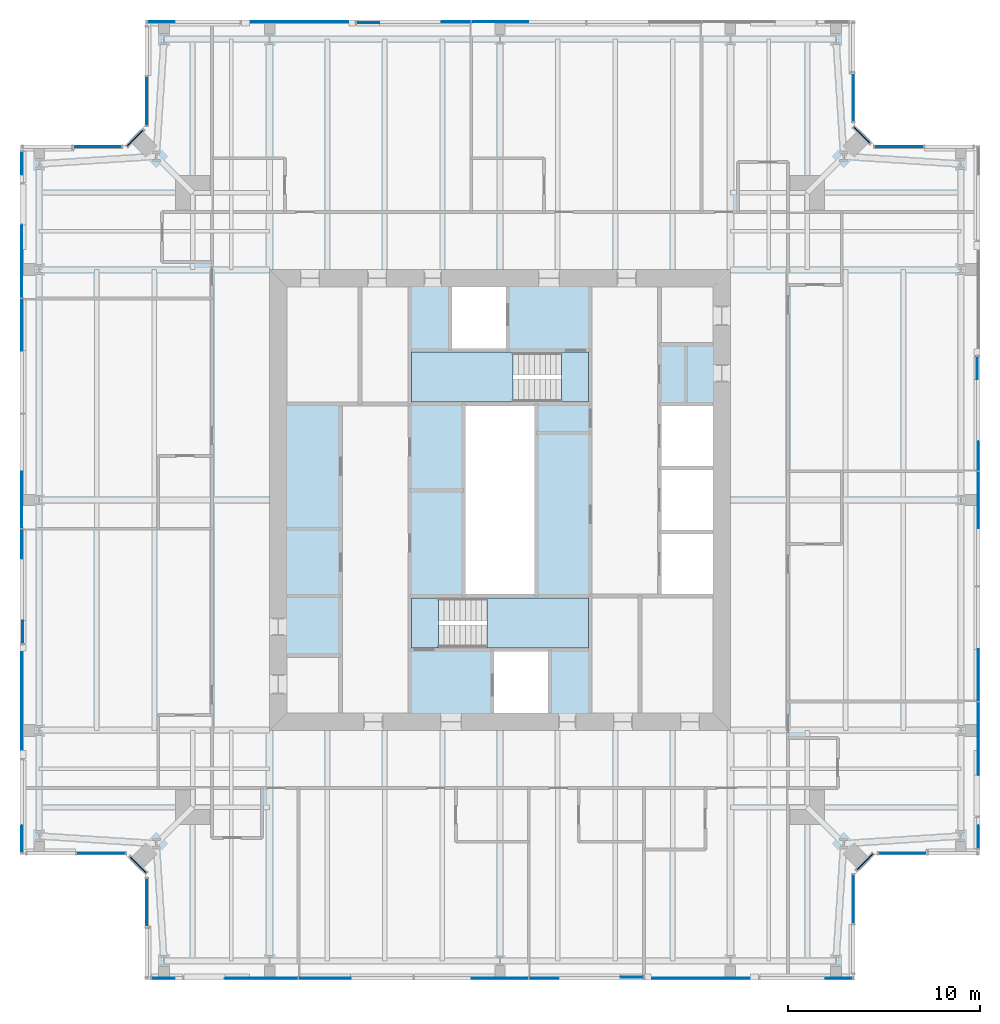
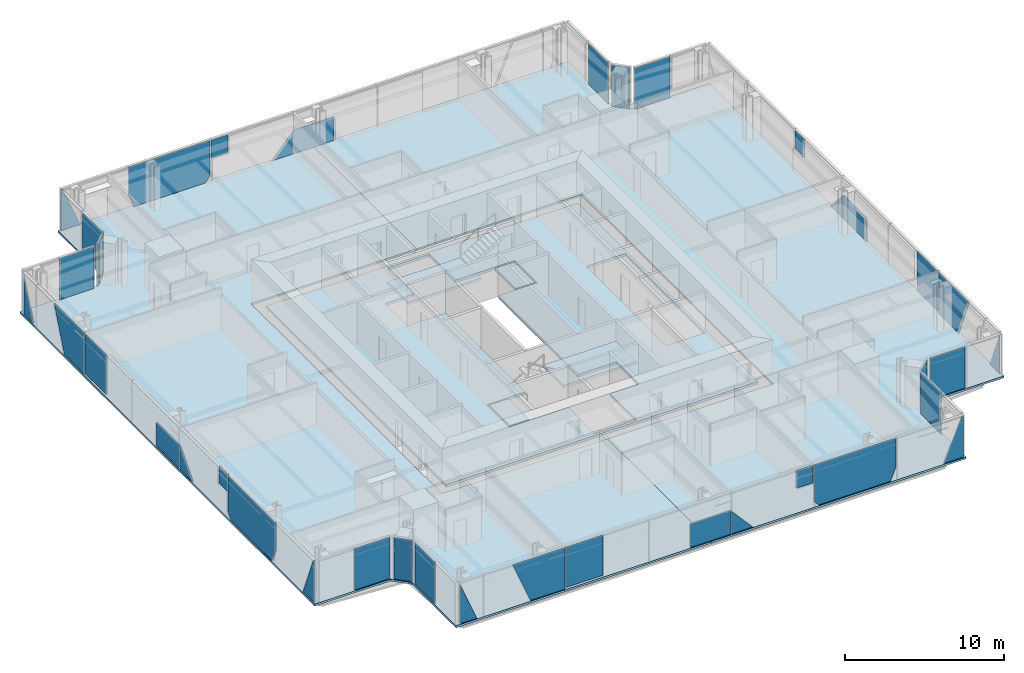
# One storey, part 10 of 20: 39 plates, 7 slabs, 18 elements without a shape of their own.
"""IFC4 building model written with IfcOpenShell, lengths in metres."""

from ifc_helpers import new_model, si_unit, direction, frame, origin, origin_2d, place, context, subcontext, project, spatial, polyline, rectangle, outline, extrude, material, layer, layer_set, type_object, element, aggregate, save


model = new_model("IFC4")

# Units and contexts
model_context = context("Model", 3, precision=1e-05, world=origin(), true_north=direction((0.0, 1.0)))
body_context = subcontext(model_context, "Body", "Model", "MODEL_VIEW")
ifc_project = project(units=[si_unit("LENGTHUNIT", "METRE"), si_unit("AREAUNIT", "SQUARE_METRE"), si_unit("VOLUMEUNIT", "CUBIC_METRE"), si_unit("PLANEANGLEUNIT", "RADIAN"), si_unit("MASSUNIT", "GRAM", prefix="KILO")], contexts=[model_context])

# Site, building, storey
site_placement = place(None, origin())
site = spatial("IfcSite", under=ifc_project, at=site_placement, CompositionType="ELEMENT")
building_placement = place(site_placement, origin())
building = spatial("IfcBuilding", under=site, at=building_placement, Name="Fenwick Lantern Interchange", CompositionType="ELEMENT")
storey_placement = place(building_placement, frame((0.0, 0.0, 276.39990234375)))
storey = spatial("IfcBuildingStorey", under=building, at=storey_placement, Name="L66", CompositionType="ELEMENT", Elevation=276.39990234375)

# Slabs
ifc_material_1 = material(Name="Concrete f'c 35 MPa", Category="concrete")
ifc_layer_1 = layer(ifc_material_1, 0.199951171875)
ifc_layer_set_1 = layer_set([ifc_layer_1], Name="CORE FLOOR SLAB 200")
slab_type_1 = type_object("IfcSlabType", Name="CORE FLOOR SLAB 200", PredefinedType="FLOOR", material=ifc_layer_set_1)
slab_1_placement = place(storey_placement, frame((0.0, 0.0, -0.199951171875)))
element("IfcSlab", 1, at=slab_1_placement, inside=storey, type_object=slab_type_1, Name="L66/SLAB/CORE", PredefinedType="FLOOR", context=body_context, shape_type="SweptSolid", body=[
    extrude(outline(polyline([(13.699951171875, 36.300048828125), (36.300048828125, 36.300048828125), (36.300048828125, 13.699951171875), (13.699951171875, 13.699951171875), (13.699951171875, 36.300048828125)]), holes=[polyline([(24.60009765625, 13.89990234375), (27.60009765625, 13.89990234375), (27.60009765625, 17.199951171875), (29.699951171875, 17.199951171875), (29.699951171875, 20.0), (26.89990234375, 20.0), (26.89990234375, 30.0), (29.699951171875, 30.0), (29.699951171875, 32.800048828125), (25.39990234375, 32.800048828125), (25.39990234375, 36.10009765625), (22.39990234375, 36.10009765625), (22.39990234375, 32.800048828125), (20.300048828125, 32.800048828125), (20.300048828125, 30.0), (23.10009765625, 30.0), (23.10009765625, 20.0), (20.300048828125, 20.0), (20.300048828125, 17.199951171875), (24.60009765625, 17.199951171875), (24.60009765625, 13.89990234375)]), polyline([(33.300048828125, 20.0), (36.10009765625, 20.0), (36.10009765625, 23.333251953125), (36.10009765625, 26.666748046875), (36.10009765625, 30.0), (33.300048828125, 30.0), (33.300048828125, 26.666748046875), (33.300048828125, 23.333251953125), (33.300048828125, 20.0)])]), origin(), (0.0, 0.0, 1.0), 0.199951171875),
])
ifc_material_2 = material(Name="Concrete f'c 35 MPa", Category="concrete")
ifc_layer_2 = layer(ifc_material_2, 0.14990234375)
ifc_layer_set_2 = layer_set([ifc_layer_2], Name="Concrete f'c 35 MPa")
slab_type_2 = type_object("IfcSlabType", Name="FLOOR SLAB 150", PredefinedType="FLOOR", material=ifc_layer_set_2)
slab_2_placement = place(storey_placement, frame((0.0, 0.0, -0.14990234375)))
element("IfcSlab", 2, at=slab_2_placement, inside=storey, type_object=slab_type_2, Name="L66/SLAB/FW", PredefinedType="FLOOR", context=body_context, shape_type="SweptSolid", body=[
    extrude(outline(polyline([(6.5, 0.0), (6.5, 5.5), (5.5, 6.5), (0.0, 6.5), (0.0, 43.5), (5.5, 43.5), (6.5, 44.5), (6.5, 50.0), (25.0, 50.0), (25.0, 37.0), (13.0, 37.0), (13.0, 13.0), (25.0, 13.0), (25.0, 0.0), (6.5, 0.0)])), origin(), (0.0, 0.0, 1.0), 0.14990234375),
])
slab_3_placement = place(storey_placement, frame((0.0, 0.0, -0.14990234375)))
element("IfcSlab", 3, at=slab_3_placement, inside=storey, type_object=slab_type_2, Name="L66/SLAB/FE", PredefinedType="FLOOR", context=body_context, shape_type="SweptSolid", body=[
    extrude(outline(polyline([(43.5, 50.0), (43.5, 44.5), (44.5, 43.5), (50.0, 43.5), (50.0, 6.5), (44.5, 6.5), (43.5, 5.5), (43.5, 0.0), (25.0, 0.0), (25.0, 13.0), (37.0, 13.0), (37.0, 37.0), (25.0, 37.0), (25.0, 50.0), (43.5, 50.0)])), origin(), (0.0, 0.0, 1.0), 0.14990234375),
])

# Curtain wall, plates
ifc_material_3 = material(Name="Aluminium curtain wall frame", Category="aluminium")
curtain_wall_type = type_object("IfcCurtainWallType", Name="HOTEL CURTAIN WALL", PredefinedType="USERDEFINED", material=ifc_material_3)
curtain_wall_1_placement = place(storey_placement, origin())
curtain_wall_1 = element("IfcCurtainWall", 4, at=curtain_wall_1_placement, inside=storey, type_object=curtain_wall_type, Name="Hotel curtain wall 01", ObjectType="HOTEL CURTAIN WALL", PredefinedType="USERDEFINED")
ifc_material_4 = material(Name="Vision glass, acoustic laminated double glazed unit", Category="glass")
ifc_layer_3 = layer(ifc_material_4, 0.052001953125)
ifc_layer_set_3 = layer_set([ifc_layer_3], Name="HOTEL CURTAIN WALL PANEL 52")
plate_type = type_object("IfcPlateType", Name="HOTEL CURTAIN WALL PANEL 52", PredefinedType="CURTAIN_PANEL", material=ifc_layer_set_3)
plate_1_placement = place(storey_placement, frame((6.60009765625, 0.10009765625, 0.0), z_axis=(0.0, 0.0, 1.0), x_axis=(1.0, 0.0, 0.0)))
plate_1 = element("IfcPlate", 5, at=plate_1_placement, type_object=plate_type, Name="L66/CW/01/P00a", PredefinedType="CURTAIN_PANEL", context=body_context, shape_type="SweptSolid", body=[
    extrude(outline(polyline([(0.260009765625, 0.0), (1.46337890625, 0.0), (0.260009765625, 2.9755859375), (0.260009765625, 0.0)])), frame((0.0, 0.02587890625, 0.0), z_axis=(0.0, -1.0, 0.0), x_axis=(1.0, 0.0, 0.0)), (0.0, 0.0, 1.0), 0.052001953125),
])
plate_2_placement = place(storey_placement, frame((6.60009765625, 0.10009765625, 0.0), z_axis=(0.0, 0.0, 1.0), x_axis=(1.0, 0.0, 0.0)))
plate_2 = element("IfcPlate", 6, at=plate_2_placement, type_object=plate_type, Name="L66/CW/01/P01a", PredefinedType="CURTAIN_PANEL", context=body_context, shape_type="SweptSolid", body=[
    extrude(outline(polyline([(5.346435546875, 0.0), (7.8701171875, 0.0), (7.8701171875, 3.150146484375), (4.07275390625, 3.150146484375), (5.346435546875, 0.0)])), frame((0.0, 0.02587890625, 0.0), z_axis=(0.0, -1.0, 0.0), x_axis=(1.0, 0.0, 0.0)), (0.0, 0.0, 1.0), 0.052001953125),
])
plate_3_placement = place(storey_placement, frame((6.60009765625, 0.10009765625, 0.097412109375), z_axis=(0.0, 0.0, 1.0), x_axis=(1.0, 0.0, 0.0)))
plate_3 = element("IfcPlate", 7, at=plate_3_placement, type_object=plate_type, Name="L66/CW/01/P02a", PredefinedType="CURTAIN_PANEL", context=body_context, shape_type="SweptSolid", body=[
    extrude(outline(polyline([(7.929931640625, 0.0), (10.6201171875, 0.0), (10.6201171875, 3.052734375), (7.929931640625, 3.052734375), (7.929931640625, 0.0)])), frame((0.0, 0.02587890625, 0.0), z_axis=(0.0, -1.0, 0.0), x_axis=(1.0, 0.0, 0.0)), (0.0, 0.0, 1.0), 0.052001953125),
])
plate_4_placement = place(storey_placement, frame((6.60009765625, 0.10009765625, 0.0), z_axis=(0.0, 0.0, 1.0), x_axis=(1.0, 0.0, 0.0)))
plate_4 = element("IfcPlate", 8, at=plate_4_placement, type_object=plate_type, Name="L66/CW/01/P03a", PredefinedType="CURTAIN_PANEL", context=body_context, shape_type="SweptSolid", body=[
    extrude(outline(polyline([(16.93017578125, 0.0), (19.8701171875, 0.0), (19.8701171875, 1.8076171875), (16.93017578125, 1.8076171875), (16.93017578125, 0.0)])), frame((0.0, 0.02587890625, 0.0), z_axis=(0.0, -1.0, 0.0), x_axis=(1.0, 0.0, 0.0)), (0.0, 0.0, 1.0), 0.052001953125),
])
plate_5_placement = place(storey_placement, frame((6.60009765625, 0.10009765625, 0.0), z_axis=(0.0, 0.0, 1.0), x_axis=(1.0, 0.0, 0.0)))
plate_5 = element("IfcPlate", 9, at=plate_5_placement, type_object=plate_type, Name="L66/CW/01/P04a", PredefinedType="CURTAIN_PANEL", context=body_context, shape_type="SweptSolid", body=[
    extrude(outline(polyline([(19.929931640625, 0.0), (21.46484375, 0.0), (19.929931640625, 1.739501953125), (19.929931640625, 0.0)])), frame((0.0, 0.02587890625, 0.0), z_axis=(0.0, -1.0, 0.0), x_axis=(1.0, 0.0, 0.0)), (0.0, 0.0, 1.0), 0.052001953125),
])
plate_6_placement = place(storey_placement, frame((6.60009765625, 0.10009765625, 1.801513671875), z_axis=(0.0, 0.0, 1.0), x_axis=(1.0, 0.0, 0.0)))
plate_6 = element("IfcPlate", 10, at=plate_6_placement, type_object=plate_type, Name="L66/CW/01/P04b", PredefinedType="CURTAIN_PANEL", context=body_context, shape_type="SweptSolid", body=[
    extrude(outline(polyline([(24.676513671875, 0.0), (25.8701171875, 0.0), (25.8701171875, 1.3486328125), (24.676513671875, 1.3486328125), (24.676513671875, 0.0)])), frame((0.0, 0.080078125, 0.0), z_axis=(0.0, -1.0, 0.0), x_axis=(1.0, 0.0, 0.0)), (0.0, 0.0, 1.0), 0.052001953125),
])
plate_7_placement = place(storey_placement, frame((6.60009765625, 0.10009765625, 0.0), z_axis=(0.0, 0.0, 1.0), x_axis=(1.0, 0.0, 0.0)))
plate_7 = element("IfcPlate", 11, at=plate_7_placement, type_object=plate_type, Name="L66/CW/01/P05a", PredefinedType="CURTAIN_PANEL", context=body_context, shape_type="SweptSolid", body=[
    extrude(outline(polyline([(26.265869140625, 0.0), (31.453369140625, 0.0), (31.8701171875, 1.030029296875), (31.8701171875, 3.150146484375), (25.929931640625, 3.150146484375), (25.929931640625, 0.380615234375), (26.265869140625, 0.0)])), frame((0.0, 0.02587890625, 0.0), z_axis=(0.0, -1.0, 0.0), x_axis=(1.0, 0.0, 0.0)), (0.0, 0.0, 1.0), 0.052001953125),
])
plate_8_placement = place(storey_placement, frame((6.60009765625, 0.10009765625, 0.0), z_axis=(0.0, 0.0, 1.0), x_axis=(1.0, 0.0, 0.0)))
plate_8 = element("IfcPlate", 12, at=plate_8_placement, type_object=plate_type, Name="L66/CW/01/P06a", PredefinedType="CURTAIN_PANEL", context=body_context, shape_type="SweptSolid", body=[
    extrude(outline(polyline([(35.336669921875, 0.0), (36.739990234375, 0.0), (36.739990234375, 3.150146484375), (36.610595703125, 3.150146484375), (35.336669921875, 0.0)])), frame((0.0, 0.02587890625, 0.0), z_axis=(0.0, -1.0, 0.0), x_axis=(1.0, 0.0, 0.0)), (0.0, 0.0, 1.0), 0.052001953125),
])
aggregate(curtain_wall_1, [plate_1, plate_2, plate_3, plate_4, plate_5, plate_6, plate_7, plate_8])

# Curtain wall, plate
curtain_wall_2_placement = place(storey_placement, origin())
curtain_wall_2 = element("IfcCurtainWall", 13, at=curtain_wall_2_placement, inside=storey, type_object=curtain_wall_type, Name="Hotel curtain wall 02", ObjectType="HOTEL CURTAIN WALL", PredefinedType="USERDEFINED")
plate_9_placement = place(storey_placement, frame((43.39990234375, 4.216064453125, 0.000244140625), z_axis=(0.0, 0.0, 1.0), x_axis=(0.0, 1.0, 0.0)))
plate_9 = element("IfcPlate", 14, at=plate_9_placement, type_object=plate_type, Name="L66/CW/02/P01", PredefinedType="CURTAIN_PANEL", context=body_context, shape_type="SweptSolid", body=[
    extrude(rectangle(XDim=2.53076171875, YDim=0.052001953125, at=origin_2d()), origin(), (0.0, 0.0, 1.0), 3.14990234375),
])
aggregate(curtain_wall_2, [plate_9])

curtain_wall_3_placement = place(storey_placement, origin())
curtain_wall_3 = element("IfcCurtainWall", 15, at=curtain_wall_3_placement, inside=storey, type_object=curtain_wall_type, Name="Hotel curtain wall 03", ObjectType="HOTEL CURTAIN WALL", PredefinedType="USERDEFINED")
plate_10_placement = place(storey_placement, frame((44.0, 6.141357421875, 0.000244140625), z_axis=(0.0, 0.0, 1.0), x_axis=(0.707106781187, 0.707106781187, 0.0)))
plate_10 = element("IfcPlate", 16, at=plate_10_placement, type_object=plate_type, Name="L66/CW/03/P00", PredefinedType="CURTAIN_PANEL", context=body_context, shape_type="SweptSolid", body=[
    extrude(rectangle(XDim=1.177001953125, YDim=0.052001953125, at=origin_2d()), origin(), (0.0, 0.0, 1.0), 3.14990234375),
])
aggregate(curtain_wall_3, [plate_10])

curtain_wall_4_placement = place(storey_placement, origin())
curtain_wall_4 = element("IfcCurtainWall", 17, at=curtain_wall_4_placement, inside=storey, type_object=curtain_wall_type, Name="Hotel curtain wall 04", ObjectType="HOTEL CURTAIN WALL", PredefinedType="USERDEFINED")
plate_11_placement = place(storey_placement, frame((44.45849609375, 6.60009765625, 0.0), z_axis=(0.0, 0.0, 1.0), x_axis=(1.0, 0.0, 0.0)))
plate_11 = element("IfcPlate", 18, at=plate_11_placement, type_object=plate_type, Name="L66/CW/04/P00a", PredefinedType="CURTAIN_PANEL", context=body_context, shape_type="SweptSolid", body=[
    extrude(outline(polyline([(0.260009765625, 0.0), (2.741455078125, 0.0), (2.741455078125, 3.150146484375), (0.260009765625, 3.150146484375), (0.260009765625, 0.0)])), frame((0.0, 0.02587890625, 0.0), z_axis=(0.0, -1.0, 0.0), x_axis=(1.0, 0.0, 0.0)), (0.0, 0.0, 1.0), 0.052001953125),
])
aggregate(curtain_wall_4, [plate_11])

# Curtain wall, plates
curtain_wall_5_placement = place(storey_placement, origin())
curtain_wall_5 = element("IfcCurtainWall", 19, at=curtain_wall_5_placement, inside=storey, type_object=curtain_wall_type, Name="Hotel curtain wall 05", ObjectType="HOTEL CURTAIN WALL", PredefinedType="USERDEFINED")
plate_12_placement = place(storey_placement, frame((49.89990234375, 6.60009765625, 0.0), z_axis=(0.0, 0.0, 1.0), x_axis=(0.0, 1.0, 0.0)))
plate_12 = element("IfcPlate", 20, at=plate_12_placement, type_object=plate_type, Name="L66/CW/05/P00a", PredefinedType="CURTAIN_PANEL", context=body_context, shape_type="SweptSolid", body=[
    extrude(outline(polyline([(0.260009765625, 0.0), (1.46337890625, 0.0), (0.260009765625, 2.9755859375), (0.260009765625, 0.0)])), frame((0.0, 0.02587890625, 0.0), z_axis=(0.0, -1.0, 0.0), x_axis=(1.0, 0.0, 0.0)), (0.0, 0.0, 1.0), 0.052001953125),
])
plate_13_placement = place(storey_placement, frame((49.89990234375, 6.60009765625, 0.0), z_axis=(0.0, 0.0, 1.0), x_axis=(0.0, 1.0, 0.0)))
plate_13 = element("IfcPlate", 21, at=plate_13_placement, type_object=plate_type, Name="L66/CW/05/P01a", PredefinedType="CURTAIN_PANEL", context=body_context, shape_type="SweptSolid", body=[
    extrude(outline(polyline([(5.346435546875, 0.0), (7.8701171875, 0.0), (7.8701171875, 3.150146484375), (4.07275390625, 3.150146484375), (5.346435546875, 0.0)])), frame((0.0, 0.02587890625, 0.0), z_axis=(0.0, -1.0, 0.0), x_axis=(1.0, 0.0, 0.0)), (0.0, 0.0, 1.0), 0.052001953125),
])
plate_14_placement = place(storey_placement, frame((49.89990234375, 6.60009765625, 0.097412109375), z_axis=(0.0, 0.0, 1.0), x_axis=(0.0, 1.0, 0.0)))
plate_14 = element("IfcPlate", 22, at=plate_14_placement, type_object=plate_type, Name="L66/CW/05/P02a", PredefinedType="CURTAIN_PANEL", context=body_context, shape_type="SweptSolid", body=[
    extrude(outline(polyline([(7.929931640625, 0.0), (10.6201171875, 0.0), (10.6201171875, 3.052734375), (7.929931640625, 3.052734375), (7.929931640625, 0.0)])), frame((0.0, 0.02587890625, 0.0), z_axis=(0.0, -1.0, 0.0), x_axis=(1.0, 0.0, 0.0)), (0.0, 0.0, 1.0), 0.052001953125),
])
plate_15_placement = place(storey_placement, frame((49.89990234375, 6.60009765625, 0.0), z_axis=(0.0, 0.0, 1.0), x_axis=(0.0, 1.0, 0.0)))
plate_15 = element("IfcPlate", 23, at=plate_15_placement, type_object=plate_type, Name="L66/CW/05/P03a", PredefinedType="CURTAIN_PANEL", context=body_context, shape_type="SweptSolid", body=[
    extrude(outline(polyline([(16.93017578125, 0.0), (19.8701171875, 0.0), (19.8701171875, 1.8076171875), (16.93017578125, 1.8076171875), (16.93017578125, 0.0)])), frame((0.0, 0.02587890625, 0.0), z_axis=(0.0, -1.0, 0.0), x_axis=(1.0, 0.0, 0.0)), (0.0, 0.0, 1.0), 0.052001953125),
])
plate_16_placement = place(storey_placement, frame((49.89990234375, 6.60009765625, 0.0), z_axis=(0.0, 0.0, 1.0), x_axis=(0.0, 1.0, 0.0)))
plate_16 = element("IfcPlate", 24, at=plate_16_placement, type_object=plate_type, Name="L66/CW/05/P04a", PredefinedType="CURTAIN_PANEL", context=body_context, shape_type="SweptSolid", body=[
    extrude(outline(polyline([(19.929931640625, 0.0), (21.46484375, 0.0), (19.929931640625, 1.739501953125), (19.929931640625, 0.0)])), frame((0.0, 0.02587890625, 0.0), z_axis=(0.0, -1.0, 0.0), x_axis=(1.0, 0.0, 0.0)), (0.0, 0.0, 1.0), 0.052001953125),
])
plate_17_placement = place(storey_placement, frame((49.89990234375, 6.60009765625, 1.801513671875), z_axis=(0.0, 0.0, 1.0), x_axis=(0.0, 1.0, 0.0)))
plate_17 = element("IfcPlate", 25, at=plate_17_placement, type_object=plate_type, Name="L66/CW/05/P04b", PredefinedType="CURTAIN_PANEL", context=body_context, shape_type="SweptSolid", body=[
    extrude(outline(polyline([(24.676513671875, 0.0), (25.8701171875, 0.0), (25.8701171875, 1.3486328125), (24.676513671875, 1.3486328125), (24.676513671875, 0.0)])), frame((0.0, 0.080078125, 0.0), z_axis=(0.0, -1.0, 0.0), x_axis=(1.0, 0.0, 0.0)), (0.0, 0.0, 1.0), 0.052001953125),
])
aggregate(curtain_wall_5, [plate_12, plate_13, plate_14, plate_15, plate_16, plate_17])

# Curtain wall, plate
curtain_wall_6_placement = place(storey_placement, origin())
curtain_wall_6 = element("IfcCurtainWall", 26, at=curtain_wall_6_placement, inside=storey, type_object=curtain_wall_type, Name="Hotel curtain wall 06", ObjectType="HOTEL CURTAIN WALL", PredefinedType="USERDEFINED")
plate_18_placement = place(storey_placement, frame((45.783935546875, 43.39990234375, 0.000244140625), z_axis=(0.0, 0.0, 1.0), x_axis=(-1.0, 0.0, 0.0)))
plate_18 = element("IfcPlate", 27, at=plate_18_placement, type_object=plate_type, Name="L66/CW/06/P01", PredefinedType="CURTAIN_PANEL", context=body_context, shape_type="SweptSolid", body=[
    extrude(rectangle(XDim=2.53076171875, YDim=0.052001953125, at=origin_2d()), origin(), (0.0, 0.0, 1.0), 3.14990234375),
])
aggregate(curtain_wall_6, [plate_18])

curtain_wall_7_placement = place(storey_placement, origin())
curtain_wall_7 = element("IfcCurtainWall", 28, at=curtain_wall_7_placement, inside=storey, type_object=curtain_wall_type, Name="Hotel curtain wall 07", ObjectType="HOTEL CURTAIN WALL", PredefinedType="USERDEFINED")
plate_19_placement = place(storey_placement, frame((43.858642578125, 44.0, 0.000244140625), z_axis=(0.0, 0.0, 1.0), x_axis=(-0.707106781187, 0.707106781187, 0.0)))
plate_19 = element("IfcPlate", 29, at=plate_19_placement, type_object=plate_type, Name="L66/CW/07/P00", PredefinedType="CURTAIN_PANEL", context=body_context, shape_type="SweptSolid", body=[
    extrude(rectangle(XDim=1.177001953125, YDim=0.052001953125, at=origin_2d()), origin(), (0.0, 0.0, 1.0), 3.14990234375),
])
aggregate(curtain_wall_7, [plate_19])

curtain_wall_8_placement = place(storey_placement, origin())
curtain_wall_8 = element("IfcCurtainWall", 30, at=curtain_wall_8_placement, inside=storey, type_object=curtain_wall_type, Name="Hotel curtain wall 08", ObjectType="HOTEL CURTAIN WALL", PredefinedType="USERDEFINED")
plate_20_placement = place(storey_placement, frame((43.39990234375, 44.45849609375, 0.0), z_axis=(0.0, 0.0, 1.0), x_axis=(0.0, 1.0, 0.0)))
plate_20 = element("IfcPlate", 31, at=plate_20_placement, type_object=plate_type, Name="L66/CW/08/P00a", PredefinedType="CURTAIN_PANEL", context=body_context, shape_type="SweptSolid", body=[
    extrude(outline(polyline([(0.260009765625, 0.0), (2.741455078125, 0.0), (2.741455078125, 3.150146484375), (0.260009765625, 3.150146484375), (0.260009765625, 0.0)])), frame((0.0, 0.02587890625, 0.0), z_axis=(0.0, -1.0, 0.0), x_axis=(1.0, 0.0, 0.0)), (0.0, 0.0, 1.0), 0.052001953125),
])
aggregate(curtain_wall_8, [plate_20])

# Curtain wall, plates
curtain_wall_9_placement = place(storey_placement, origin())
curtain_wall_9 = element("IfcCurtainWall", 32, at=curtain_wall_9_placement, inside=storey, type_object=curtain_wall_type, Name="Hotel curtain wall 09", ObjectType="HOTEL CURTAIN WALL", PredefinedType="USERDEFINED")
plate_21_placement = place(storey_placement, frame((43.39990234375, 49.89990234375, 0.0), z_axis=(0.0, 0.0, 1.0), x_axis=(-1.0, 0.0, 0.0)))
plate_21 = element("IfcPlate", 33, at=plate_21_placement, type_object=plate_type, Name="L66/CW/09/P03a", PredefinedType="CURTAIN_PANEL", context=body_context, shape_type="SweptSolid", body=[
    extrude(outline(polyline([(16.93017578125, 0.0), (19.8701171875, 0.0), (19.8701171875, 1.8076171875), (16.93017578125, 1.8076171875), (16.93017578125, 0.0)])), frame((0.0, 0.02587890625, 0.0), z_axis=(0.0, -1.0, 0.0), x_axis=(1.0, 0.0, 0.0)), (0.0, 0.0, 1.0), 0.052001953125),
])
plate_22_placement = place(storey_placement, frame((43.39990234375, 49.89990234375, 0.0), z_axis=(0.0, 0.0, 1.0), x_axis=(-1.0, 0.0, 0.0)))
plate_22 = element("IfcPlate", 34, at=plate_22_placement, type_object=plate_type, Name="L66/CW/09/P04a", PredefinedType="CURTAIN_PANEL", context=body_context, shape_type="SweptSolid", body=[
    extrude(outline(polyline([(19.929931640625, 0.0), (21.46484375, 0.0), (19.929931640625, 1.739501953125), (19.929931640625, 0.0)])), frame((0.0, 0.02587890625, 0.0), z_axis=(0.0, -1.0, 0.0), x_axis=(1.0, 0.0, 0.0)), (0.0, 0.0, 1.0), 0.052001953125),
])
plate_23_placement = place(storey_placement, frame((43.39990234375, 49.89990234375, 1.801513671875), z_axis=(0.0, 0.0, 1.0), x_axis=(-1.0, 0.0, 0.0)))
plate_23 = element("IfcPlate", 35, at=plate_23_placement, type_object=plate_type, Name="L66/CW/09/P04b", PredefinedType="CURTAIN_PANEL", context=body_context, shape_type="SweptSolid", body=[
    extrude(outline(polyline([(24.676513671875, 0.0), (25.8701171875, 0.0), (25.8701171875, 1.3486328125), (24.676513671875, 1.3486328125), (24.676513671875, 0.0)])), frame((0.0, 0.080078125, 0.0), z_axis=(0.0, -1.0, 0.0), x_axis=(1.0, 0.0, 0.0)), (0.0, 0.0, 1.0), 0.052001953125),
])
plate_24_placement = place(storey_placement, frame((43.39990234375, 49.89990234375, 0.0), z_axis=(0.0, 0.0, 1.0), x_axis=(-1.0, 0.0, 0.0)))
plate_24 = element("IfcPlate", 36, at=plate_24_placement, type_object=plate_type, Name="L66/CW/09/P05a", PredefinedType="CURTAIN_PANEL", context=body_context, shape_type="SweptSolid", body=[
    extrude(outline(polyline([(26.265869140625, 0.0), (31.453369140625, 0.0), (31.8701171875, 1.030029296875), (31.8701171875, 3.150146484375), (25.929931640625, 3.150146484375), (25.929931640625, 0.380615234375), (26.265869140625, 0.0)])), frame((0.0, 0.02587890625, 0.0), z_axis=(0.0, -1.0, 0.0), x_axis=(1.0, 0.0, 0.0)), (0.0, 0.0, 1.0), 0.052001953125),
])
plate_25_placement = place(storey_placement, frame((43.39990234375, 49.89990234375, 0.0), z_axis=(0.0, 0.0, 1.0), x_axis=(-1.0, 0.0, 0.0)))
plate_25 = element("IfcPlate", 37, at=plate_25_placement, type_object=plate_type, Name="L66/CW/09/P06a", PredefinedType="CURTAIN_PANEL", context=body_context, shape_type="SweptSolid", body=[
    extrude(outline(polyline([(35.336669921875, 0.0), (36.739990234375, 0.0), (36.739990234375, 3.150146484375), (36.610595703125, 3.150146484375), (35.336669921875, 0.0)])), frame((0.0, 0.02587890625, 0.0), z_axis=(0.0, -1.0, 0.0), x_axis=(1.0, 0.0, 0.0)), (0.0, 0.0, 1.0), 0.052001953125),
])
aggregate(curtain_wall_9, [plate_21, plate_22, plate_23, plate_24, plate_25])

# Curtain wall, plate
curtain_wall_10_placement = place(storey_placement, origin())
curtain_wall_10 = element("IfcCurtainWall", 38, at=curtain_wall_10_placement, inside=storey, type_object=curtain_wall_type, Name="Hotel curtain wall 10", ObjectType="HOTEL CURTAIN WALL", PredefinedType="USERDEFINED")
plate_26_placement = place(storey_placement, frame((6.60009765625, 45.783935546875, 0.000244140625), z_axis=(0.0, 0.0, 1.0), x_axis=(0.0, -1.0, 0.0)))
plate_26 = element("IfcPlate", 39, at=plate_26_placement, type_object=plate_type, Name="L66/CW/10/P01", PredefinedType="CURTAIN_PANEL", context=body_context, shape_type="SweptSolid", body=[
    extrude(rectangle(XDim=2.53076171875, YDim=0.052001953125, at=origin_2d()), origin(), (0.0, 0.0, 1.0), 3.14990234375),
])
aggregate(curtain_wall_10, [plate_26])

curtain_wall_11_placement = place(storey_placement, origin())
curtain_wall_11 = element("IfcCurtainWall", 40, at=curtain_wall_11_placement, inside=storey, type_object=curtain_wall_type, Name="Hotel curtain wall 11", ObjectType="HOTEL CURTAIN WALL", PredefinedType="USERDEFINED")
plate_27_placement = place(storey_placement, frame((6.0, 43.858642578125, 0.000244140625), z_axis=(0.0, 0.0, 1.0), x_axis=(-0.707106781187, -0.707106781187, 0.0)))
plate_27 = element("IfcPlate", 41, at=plate_27_placement, type_object=plate_type, Name="L66/CW/11/P00", PredefinedType="CURTAIN_PANEL", context=body_context, shape_type="SweptSolid", body=[
    extrude(rectangle(XDim=1.177001953125, YDim=0.052001953125, at=origin_2d()), origin(), (0.0, 0.0, 1.0), 3.14990234375),
])
aggregate(curtain_wall_11, [plate_27])

curtain_wall_12_placement = place(storey_placement, origin())
curtain_wall_12 = element("IfcCurtainWall", 42, at=curtain_wall_12_placement, inside=storey, type_object=curtain_wall_type, Name="Hotel curtain wall 12", ObjectType="HOTEL CURTAIN WALL", PredefinedType="USERDEFINED")
plate_28_placement = place(storey_placement, frame((5.54150390625, 43.39990234375, 0.0), z_axis=(0.0, 0.0, 1.0), x_axis=(-1.0, 0.0, 0.0)))
plate_28 = element("IfcPlate", 43, at=plate_28_placement, type_object=plate_type, Name="L66/CW/12/P00a", PredefinedType="CURTAIN_PANEL", context=body_context, shape_type="SweptSolid", body=[
    extrude(outline(polyline([(0.260009765625, 0.0), (2.741455078125, 0.0), (2.741455078125, 3.150146484375), (0.260009765625, 3.150146484375), (0.260009765625, 0.0)])), frame((0.0, 0.02587890625, 0.0), z_axis=(0.0, -1.0, 0.0), x_axis=(1.0, 0.0, 0.0)), (0.0, 0.0, 1.0), 0.052001953125),
])
aggregate(curtain_wall_12, [plate_28])

# Curtain wall, plates
curtain_wall_13_placement = place(storey_placement, origin())
curtain_wall_13 = element("IfcCurtainWall", 44, at=curtain_wall_13_placement, inside=storey, type_object=curtain_wall_type, Name="Hotel curtain wall 13", ObjectType="HOTEL CURTAIN WALL", PredefinedType="USERDEFINED")
plate_29_placement = place(storey_placement, frame((0.10009765625, 43.39990234375, 0.0), z_axis=(0.0, 0.0, 1.0), x_axis=(0.0, -1.0, 0.0)))
plate_29 = element("IfcPlate", 45, at=plate_29_placement, type_object=plate_type, Name="L66/CW/13/P00a", PredefinedType="CURTAIN_PANEL", context=body_context, shape_type="SweptSolid", body=[
    extrude(outline(polyline([(0.260009765625, 0.0), (1.46337890625, 0.0), (0.260009765625, 2.9755859375), (0.260009765625, 0.0)])), frame((0.0, 0.02587890625, 0.0), z_axis=(0.0, -1.0, 0.0), x_axis=(1.0, 0.0, 0.0)), (0.0, 0.0, 1.0), 0.052001953125),
])
plate_30_placement = place(storey_placement, frame((0.10009765625, 43.39990234375, 0.0), z_axis=(0.0, 0.0, 1.0), x_axis=(0.0, -1.0, 0.0)))
plate_30 = element("IfcPlate", 46, at=plate_30_placement, type_object=plate_type, Name="L66/CW/13/P01a", PredefinedType="CURTAIN_PANEL", context=body_context, shape_type="SweptSolid", body=[
    extrude(outline(polyline([(5.346435546875, 0.0), (7.8701171875, 0.0), (7.8701171875, 3.150146484375), (4.07275390625, 3.150146484375), (5.346435546875, 0.0)])), frame((0.0, 0.02587890625, 0.0), z_axis=(0.0, -1.0, 0.0), x_axis=(1.0, 0.0, 0.0)), (0.0, 0.0, 1.0), 0.052001953125),
])
plate_31_placement = place(storey_placement, frame((0.10009765625, 43.39990234375, 0.097412109375), z_axis=(0.0, 0.0, 1.0), x_axis=(0.0, -1.0, 0.0)))
plate_31 = element("IfcPlate", 47, at=plate_31_placement, type_object=plate_type, Name="L66/CW/13/P02a", PredefinedType="CURTAIN_PANEL", context=body_context, shape_type="SweptSolid", body=[
    extrude(outline(polyline([(7.929931640625, 0.0), (10.6201171875, 0.0), (10.6201171875, 3.052734375), (7.929931640625, 3.052734375), (7.929931640625, 0.0)])), frame((0.0, 0.02587890625, 0.0), z_axis=(0.0, -1.0, 0.0), x_axis=(1.0, 0.0, 0.0)), (0.0, 0.0, 1.0), 0.052001953125),
])
plate_32_placement = place(storey_placement, frame((0.10009765625, 43.39990234375, 0.0), z_axis=(0.0, 0.0, 1.0), x_axis=(0.0, -1.0, 0.0)))
plate_32 = element("IfcPlate", 48, at=plate_32_placement, type_object=plate_type, Name="L66/CW/13/P03a", PredefinedType="CURTAIN_PANEL", context=body_context, shape_type="SweptSolid", body=[
    extrude(outline(polyline([(16.93017578125, 0.0), (19.8701171875, 0.0), (19.8701171875, 1.8076171875), (16.93017578125, 1.8076171875), (16.93017578125, 0.0)])), frame((0.0, 0.02587890625, 0.0), z_axis=(0.0, -1.0, 0.0), x_axis=(1.0, 0.0, 0.0)), (0.0, 0.0, 1.0), 0.052001953125),
])
plate_33_placement = place(storey_placement, frame((0.10009765625, 43.39990234375, 0.0), z_axis=(0.0, 0.0, 1.0), x_axis=(0.0, -1.0, 0.0)))
plate_33 = element("IfcPlate", 49, at=plate_33_placement, type_object=plate_type, Name="L66/CW/13/P04a", PredefinedType="CURTAIN_PANEL", context=body_context, shape_type="SweptSolid", body=[
    extrude(outline(polyline([(19.929931640625, 0.0), (21.46484375, 0.0), (19.929931640625, 1.739501953125), (19.929931640625, 0.0)])), frame((0.0, 0.02587890625, 0.0), z_axis=(0.0, -1.0, 0.0), x_axis=(1.0, 0.0, 0.0)), (0.0, 0.0, 1.0), 0.052001953125),
])
plate_34_placement = place(storey_placement, frame((0.10009765625, 43.39990234375, 1.801513671875), z_axis=(0.0, 0.0, 1.0), x_axis=(0.0, -1.0, 0.0)))
plate_34 = element("IfcPlate", 50, at=plate_34_placement, type_object=plate_type, Name="L66/CW/13/P04b", PredefinedType="CURTAIN_PANEL", context=body_context, shape_type="SweptSolid", body=[
    extrude(outline(polyline([(24.676513671875, 0.0), (25.8701171875, 0.0), (25.8701171875, 1.3486328125), (24.676513671875, 1.3486328125), (24.676513671875, 0.0)])), frame((0.0, 0.080078125, 0.0), z_axis=(0.0, -1.0, 0.0), x_axis=(1.0, 0.0, 0.0)), (0.0, 0.0, 1.0), 0.052001953125),
])
plate_35_placement = place(storey_placement, frame((0.10009765625, 43.39990234375, 0.0), z_axis=(0.0, 0.0, 1.0), x_axis=(0.0, -1.0, 0.0)))
plate_35 = element("IfcPlate", 51, at=plate_35_placement, type_object=plate_type, Name="L66/CW/13/P05a", PredefinedType="CURTAIN_PANEL", context=body_context, shape_type="SweptSolid", body=[
    extrude(outline(polyline([(26.265869140625, 0.0), (31.453369140625, 0.0), (31.8701171875, 1.030029296875), (31.8701171875, 3.150146484375), (25.929931640625, 3.150146484375), (25.929931640625, 0.380615234375), (26.265869140625, 0.0)])), frame((0.0, 0.02587890625, 0.0), z_axis=(0.0, -1.0, 0.0), x_axis=(1.0, 0.0, 0.0)), (0.0, 0.0, 1.0), 0.052001953125),
])
plate_36_placement = place(storey_placement, frame((0.10009765625, 43.39990234375, 0.0), z_axis=(0.0, 0.0, 1.0), x_axis=(0.0, -1.0, 0.0)))
plate_36 = element("IfcPlate", 52, at=plate_36_placement, type_object=plate_type, Name="L66/CW/13/P06a", PredefinedType="CURTAIN_PANEL", context=body_context, shape_type="SweptSolid", body=[
    extrude(outline(polyline([(35.336669921875, 0.0), (36.739990234375, 0.0), (36.739990234375, 3.150146484375), (36.610595703125, 3.150146484375), (35.336669921875, 0.0)])), frame((0.0, 0.02587890625, 0.0), z_axis=(0.0, -1.0, 0.0), x_axis=(1.0, 0.0, 0.0)), (0.0, 0.0, 1.0), 0.052001953125),
])
aggregate(curtain_wall_13, [plate_29, plate_30, plate_31, plate_32, plate_33, plate_34, plate_35, plate_36])

# Curtain wall, plate
curtain_wall_14_placement = place(storey_placement, origin())
curtain_wall_14 = element("IfcCurtainWall", 53, at=curtain_wall_14_placement, inside=storey, type_object=curtain_wall_type, Name="Hotel curtain wall 14", ObjectType="HOTEL CURTAIN WALL", PredefinedType="USERDEFINED")
plate_37_placement = place(storey_placement, frame((4.216064453125, 6.60009765625, 0.000244140625), z_axis=(0.0, 0.0, 1.0), x_axis=(1.0, 0.0, 0.0)))
plate_37 = element("IfcPlate", 54, at=plate_37_placement, type_object=plate_type, Name="L66/CW/14/P01", PredefinedType="CURTAIN_PANEL", context=body_context, shape_type="SweptSolid", body=[
    extrude(rectangle(XDim=2.53076171875, YDim=0.052001953125, at=origin_2d()), origin(), (0.0, 0.0, 1.0), 3.14990234375),
])
aggregate(curtain_wall_14, [plate_37])

curtain_wall_15_placement = place(storey_placement, origin())
curtain_wall_15 = element("IfcCurtainWall", 55, at=curtain_wall_15_placement, inside=storey, type_object=curtain_wall_type, Name="Hotel curtain wall 15", ObjectType="HOTEL CURTAIN WALL", PredefinedType="USERDEFINED")
plate_38_placement = place(storey_placement, frame((6.141357421875, 6.0, 0.000244140625), z_axis=(0.0, 0.0, 1.0), x_axis=(0.707106781187, -0.707106781187, 0.0)))
plate_38 = element("IfcPlate", 56, at=plate_38_placement, type_object=plate_type, Name="L66/CW/15/P00", PredefinedType="CURTAIN_PANEL", context=body_context, shape_type="SweptSolid", body=[
    extrude(rectangle(XDim=1.177001953125, YDim=0.052001953125, at=origin_2d()), origin(), (0.0, 0.0, 1.0), 3.14990234375),
])
aggregate(curtain_wall_15, [plate_38])

curtain_wall_16_placement = place(storey_placement, origin())
curtain_wall_16 = element("IfcCurtainWall", 57, at=curtain_wall_16_placement, inside=storey, type_object=curtain_wall_type, Name="Hotel curtain wall 16", ObjectType="HOTEL CURTAIN WALL", PredefinedType="USERDEFINED")
plate_39_placement = place(storey_placement, frame((6.60009765625, 5.54150390625, 0.0), z_axis=(0.0, 0.0, 1.0), x_axis=(0.0, -1.0, 0.0)))
plate_39 = element("IfcPlate", 58, at=plate_39_placement, type_object=plate_type, Name="L66/CW/16/P00a", PredefinedType="CURTAIN_PANEL", context=body_context, shape_type="SweptSolid", body=[
    extrude(outline(polyline([(0.260009765625, 0.0), (2.741455078125, 0.0), (2.741455078125, 3.150146484375), (0.260009765625, 3.150146484375), (0.260009765625, 0.0)])), frame((0.0, 0.02587890625, 0.0), z_axis=(0.0, -1.0, 0.0), x_axis=(1.0, 0.0, 0.0)), (0.0, 0.0, 1.0), 0.052001953125),
])
aggregate(curtain_wall_16, [plate_39])

# Stair, slabs
ifc_material_5 = material(Name="Precast concrete f'c 35 MPa", Category="concrete")
stair_type = type_object("IfcStairType", Name="EXIT STAIR 1200", PredefinedType="HALF_TURN_STAIR", material=ifc_material_5)
stair_1_placement = place(storey_placement, origin())
stair_1 = element("IfcStair", 59, at=stair_1_placement, inside=storey, type_object=stair_type, Name="Exit stair ST1", PredefinedType="HALF_TURN_STAIR")
ifc_layer_4 = layer(ifc_material_1, 0.199951171875)
ifc_layer_set_4 = layer_set([ifc_layer_4], Name="STAIR LANDING 200")
slab_type_3 = type_object("IfcSlabType", Name="STAIR LANDING 200", PredefinedType="LANDING", material=ifc_layer_set_4)
slab_4_placement = place(storey_placement, frame((0.0, 0.0, 1.5)))
slab_4 = element("IfcSlab", 60, at=slab_4_placement, type_object=slab_type_3, Name="ST1 landing 1", PredefinedType="LANDING", context=body_context, shape_type="SweptSolid", body=[
    extrude(outline(polyline([(24.320068359375, 17.300048828125), (29.60009765625, 17.300048828125), (29.60009765625, 19.89990234375), (24.320068359375, 19.89990234375), (24.320068359375, 17.300048828125)])), origin(), (0.0, 0.0, 1.0), 0.2001953125),
])
slab_5_placement = place(storey_placement, frame((0.0, 0.0, -0.199951171875)))
slab_5 = element("IfcSlab", 61, at=slab_5_placement, type_object=slab_type_3, Name="ST1 landing 2", PredefinedType="LANDING", context=body_context, shape_type="SweptSolid", body=[
    extrude(outline(polyline([(20.39990234375, 17.300048828125), (21.800048828125, 17.300048828125), (21.800048828125, 19.89990234375), (20.39990234375, 19.89990234375), (20.39990234375, 17.300048828125)])), origin(), (0.0, 0.0, 1.0), 0.199951171875),
])
aggregate(stair_1, [slab_4, slab_5])

stair_2_placement = place(storey_placement, origin())
stair_2 = element("IfcStair", 62, at=stair_2_placement, inside=storey, type_object=stair_type, Name="Exit stair ST2", PredefinedType="HALF_TURN_STAIR")
slab_6_placement = place(storey_placement, frame((0.0, 0.0, 1.5)))
slab_6 = element("IfcSlab", 63, at=slab_6_placement, type_object=slab_type_3, Name="ST2 landing 1", PredefinedType="LANDING", context=body_context, shape_type="SweptSolid", body=[
    extrude(outline(polyline([(25.679931640625, 32.699951171875), (20.39990234375, 32.699951171875), (20.39990234375, 30.10009765625), (25.679931640625, 30.10009765625), (25.679931640625, 32.699951171875)])), origin(), (0.0, 0.0, 1.0), 0.2001953125),
])
slab_7_placement = place(storey_placement, frame((0.0, 0.0, -0.199951171875)))
slab_7 = element("IfcSlab", 64, at=slab_7_placement, type_object=slab_type_3, Name="ST2 landing 2", PredefinedType="LANDING", context=body_context, shape_type="SweptSolid", body=[
    extrude(outline(polyline([(29.60009765625, 32.699951171875), (28.199951171875, 32.699951171875), (28.199951171875, 30.10009765625), (29.60009765625, 30.10009765625), (29.60009765625, 32.699951171875)])), origin(), (0.0, 0.0, 1.0), 0.199951171875),
])
aggregate(stair_2, [slab_6, slab_7])

save(model, "model.ifc")
